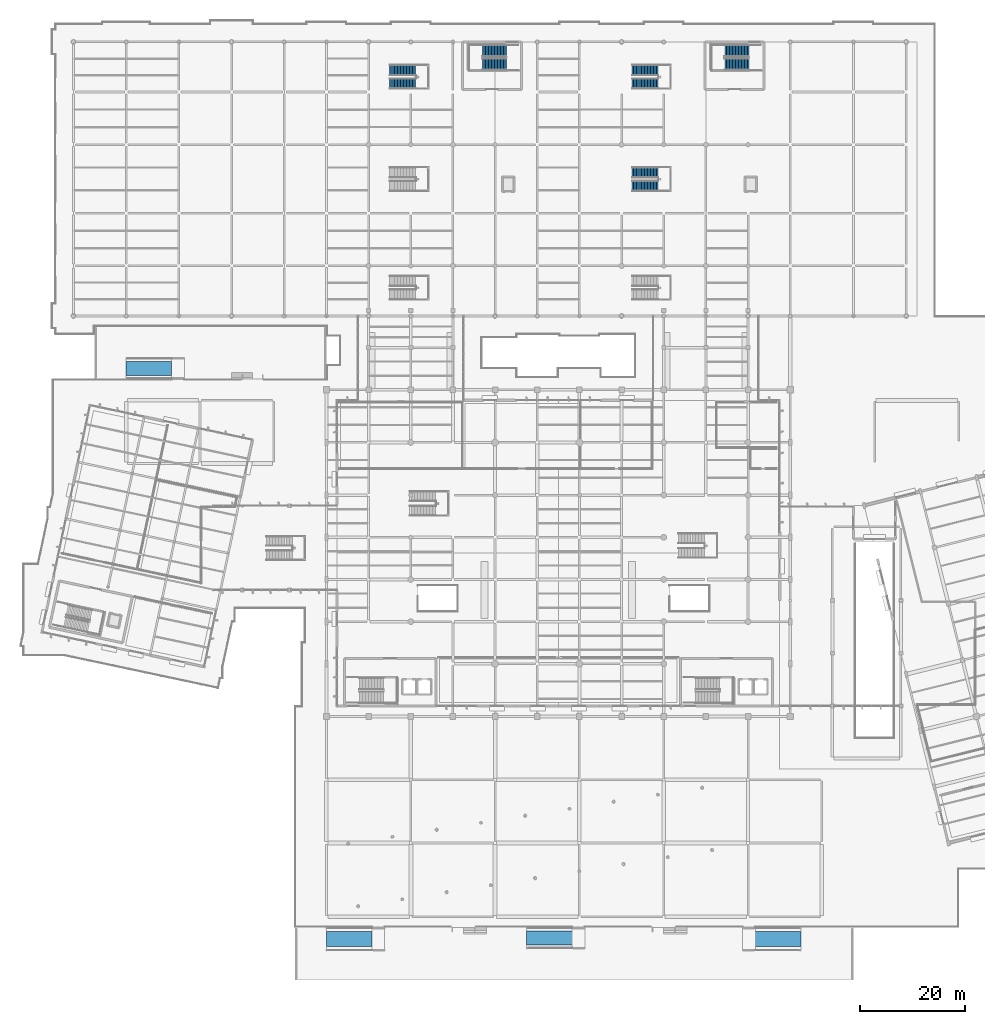
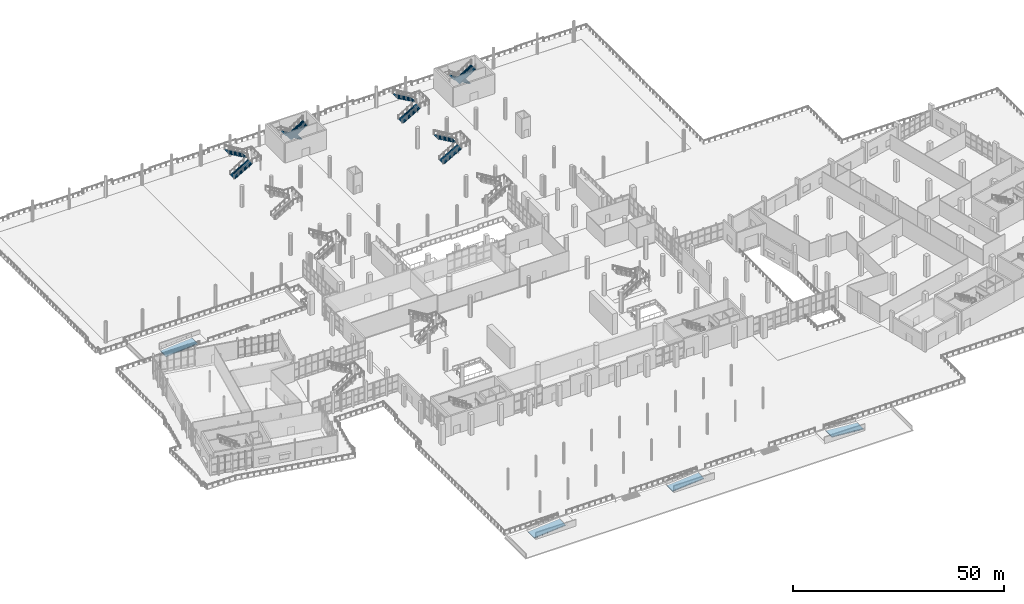
# One storey, part 133 of 163: 10 stair flights, 4 ramp flights, 9 elements without a shape of their own.
"""IFC4 building model written with IfcOpenShell, lengths in metres."""

from ifc_helpers import new_model, si_unit, direction, frame, origin, place, context, subcontext, project, spatial, polyline, outline, extrude, material, layer, layer_set, type_object, element, aggregate, save


model = new_model("IFC4")

# Units and contexts
model_context = context("Model", 3, precision=1e-05, world=origin(), true_north=direction((0.0, 1.0)))
body_context = subcontext(model_context, "Body", "Model", "MODEL_VIEW")
ifc_project = project(units=[si_unit("LENGTHUNIT", "METRE"), si_unit("AREAUNIT", "SQUARE_METRE"), si_unit("VOLUMEUNIT", "CUBIC_METRE"), si_unit("PLANEANGLEUNIT", "RADIAN"), si_unit("MASSUNIT", "GRAM", prefix="KILO")], contexts=[model_context])

# Site, building, storey
site_placement = place(None, origin())
site = spatial("IfcSite", under=ifc_project, at=site_placement, CompositionType="ELEMENT")
building_placement = place(site_placement, origin())
building = spatial("IfcBuilding", under=site, at=building_placement, Name="Khorjan Park Terminus", CompositionType="ELEMENT")
storey_placement = place(building_placement, origin())
storey = spatial("IfcBuildingStorey", under=building, at=storey_placement, Name="L00", CompositionType="ELEMENT", Elevation=0.0)

# Stair, stair flights
ifc_material = material(Name="Concrete C40/50", Category="concrete")
stair_type_1 = type_object("IfcStairType", Name="STR-CORE-220", PredefinedType="HALF_TURN_STAIR", material=ifc_material)
stair_1_placement = place(storey_placement, origin())
stair_1 = element("IfcStair", 1, at=stair_1_placement, inside=storey, type_object=stair_type_1, Name="L00 West Transfer Bridge Exit Core exit stair ST-06", PredefinedType="HALF_TURN_STAIR")
stair_flight_type_1 = type_object("IfcStairFlightType", Name="FLT-STC-22", PredefinedType="STRAIGHT", material=ifc_material)
stair_flight_1_placement = place(storey_placement, frame((82.14, 152.35, 0.0), z_axis=(0.0, 0.0, 1.0), x_axis=(-1.0, 0.0, 0.0)))
stair_flight_1 = element("IfcStairFlight", 2, at=stair_flight_1_placement, type_object=stair_flight_type_1, Name="ST-06 flight 1", NumberOfRisers=17, NumberOfTreads=16, PredefinedType="STRAIGHT", RiserHeight=0.176470588, TreadLength=0.285, context=body_context, shape_type="SweptSolid", body=[
    extrude(outline(polyline([(0.0, 0.0), (0.0, 0.1765), (0.285, 0.1765), (0.285, 0.3529), (0.57, 0.3529), (0.57, 0.5294), (0.855, 0.5294), (0.855, 0.7059), (1.14, 0.7059), (1.14, 0.8824), (1.425, 0.8824), (1.425, 1.0588), (1.71, 1.0588), (1.71, 1.2353), (1.995, 1.2353), (1.995, 1.4118), (2.28, 1.4118), (2.28, 1.5882), (2.565, 1.5882), (2.565, 1.7647), (2.85, 1.7647), (2.85, 1.9412), (3.135, 1.9412), (3.135, 2.1176), (3.42, 2.1176), (3.42, 2.2941), (3.705, 2.2941), (3.705, 2.4706), (3.99, 2.4706), (3.99, 2.6471), (4.275, 2.6471), (4.275, 2.8235), (4.56, 2.8235), (4.56, 3.0), (4.56, 2.6353), (0.3039, 0.0), (0.0, 0.0)])), frame((0.0, 1.1, 0.0), z_axis=(0.0, -1.0, 0.0), x_axis=(1.0, 0.0, 0.0)), (0.0, 0.0, 1.0), 2.2),
])
stair_flight_2_placement = place(storey_placement, frame((77.58, 149.79, 3.0), z_axis=(0.0, 0.0, 1.0), x_axis=(1.0, 0.0, 0.0)))
stair_flight_2 = element("IfcStairFlight", 3, at=stair_flight_2_placement, type_object=stair_flight_type_1, Name="ST-06 flight 2", NumberOfRisers=17, NumberOfTreads=16, PredefinedType="STRAIGHT", RiserHeight=0.176470588, TreadLength=0.285, context=body_context, shape_type="SweptSolid", body=[
    extrude(outline(polyline([(0.0, 0.0), (0.0, 0.1765), (0.285, 0.1765), (0.285, 0.3529), (0.57, 0.3529), (0.57, 0.5294), (0.855, 0.5294), (0.855, 0.7059), (1.14, 0.7059), (1.14, 0.8824), (1.425, 0.8824), (1.425, 1.0588), (1.71, 1.0588), (1.71, 1.2353), (1.995, 1.2353), (1.995, 1.4118), (2.28, 1.4118), (2.28, 1.5882), (2.565, 1.5882), (2.565, 1.7647), (2.85, 1.7647), (2.85, 1.9412), (3.135, 1.9412), (3.135, 2.1176), (3.42, 2.1176), (3.42, 2.2941), (3.705, 2.2941), (3.705, 2.4706), (3.99, 2.4706), (3.99, 2.6471), (4.275, 2.6471), (4.275, 2.8235), (4.56, 2.8235), (4.56, 3.0), (4.56, 2.6353), (0.3039, 0.0), (0.0, 0.0)])), frame((0.0, 1.1, 0.0), z_axis=(0.0, -1.0, 0.0), x_axis=(1.0, 0.0, 0.0)), (0.0, 0.0, 1.0), 2.2),
])
aggregate(stair_1, [stair_flight_1, stair_flight_2])

stair_2_placement = place(storey_placement, origin())
stair_2 = element("IfcStair", 4, at=stair_2_placement, inside=storey, type_object=stair_type_1, Name="L00 East Transfer Bridge Exit Core exit stair ST-07", PredefinedType="HALF_TURN_STAIR")
stair_flight_3_placement = place(storey_placement, frame((128.14, 152.35, 0.0), z_axis=(0.0, 0.0, 1.0), x_axis=(-1.0, 0.0, 0.0)))
stair_flight_3 = element("IfcStairFlight", 5, at=stair_flight_3_placement, type_object=stair_flight_type_1, Name="ST-07 flight 1", NumberOfRisers=17, NumberOfTreads=16, PredefinedType="STRAIGHT", RiserHeight=0.176470588, TreadLength=0.285, context=body_context, shape_type="SweptSolid", body=[
    extrude(outline(polyline([(0.0, 0.0), (0.0, 0.1765), (0.285, 0.1765), (0.285, 0.3529), (0.57, 0.3529), (0.57, 0.5294), (0.855, 0.5294), (0.855, 0.7059), (1.14, 0.7059), (1.14, 0.8824), (1.425, 0.8824), (1.425, 1.0588), (1.71, 1.0588), (1.71, 1.2353), (1.995, 1.2353), (1.995, 1.4118), (2.28, 1.4118), (2.28, 1.5882), (2.565, 1.5882), (2.565, 1.7647), (2.85, 1.7647), (2.85, 1.9412), (3.135, 1.9412), (3.135, 2.1176), (3.42, 2.1176), (3.42, 2.2941), (3.705, 2.2941), (3.705, 2.4706), (3.99, 2.4706), (3.99, 2.6471), (4.275, 2.6471), (4.275, 2.8235), (4.56, 2.8235), (4.56, 3.0), (4.56, 2.6353), (0.3039, 0.0), (0.0, 0.0)])), frame((0.0, 1.1, 0.0), z_axis=(0.0, -1.0, 0.0), x_axis=(1.0, 0.0, 0.0)), (0.0, 0.0, 1.0), 2.2),
])
stair_flight_4_placement = place(storey_placement, frame((123.58, 149.79, 3.0), z_axis=(0.0, 0.0, 1.0), x_axis=(1.0, 0.0, 0.0)))
stair_flight_4 = element("IfcStairFlight", 6, at=stair_flight_4_placement, type_object=stair_flight_type_1, Name="ST-07 flight 2", NumberOfRisers=17, NumberOfTreads=16, PredefinedType="STRAIGHT", RiserHeight=0.176470588, TreadLength=0.285, context=body_context, shape_type="SweptSolid", body=[
    extrude(outline(polyline([(0.0, 0.0), (0.0, 0.1765), (0.285, 0.1765), (0.285, 0.3529), (0.57, 0.3529), (0.57, 0.5294), (0.855, 0.5294), (0.855, 0.7059), (1.14, 0.7059), (1.14, 0.8824), (1.425, 0.8824), (1.425, 1.0588), (1.71, 1.0588), (1.71, 1.2353), (1.995, 1.2353), (1.995, 1.4118), (2.28, 1.4118), (2.28, 1.5882), (2.565, 1.5882), (2.565, 1.7647), (2.85, 1.7647), (2.85, 1.9412), (3.135, 1.9412), (3.135, 2.1176), (3.42, 2.1176), (3.42, 2.2941), (3.705, 2.2941), (3.705, 2.4706), (3.99, 2.4706), (3.99, 2.6471), (4.275, 2.6471), (4.275, 2.8235), (4.56, 2.8235), (4.56, 3.0), (4.56, 2.6353), (0.3039, 0.0), (0.0, 0.0)])), frame((0.0, 1.1, 0.0), z_axis=(0.0, -1.0, 0.0), x_axis=(1.0, 0.0, 0.0)), (0.0, 0.0, 1.0), 2.2),
])
aggregate(stair_2, [stair_flight_3, stair_flight_4])

stair_type_2 = type_object("IfcStairType", Name="STR-PUB-200", PredefinedType="HALF_TURN_STAIR", material=ifc_material)
stair_3_placement = place(storey_placement, origin())
stair_3 = element("IfcStair", 7, at=stair_3_placement, inside=storey, type_object=stair_type_2, Name="Public passenger half-turn stair PS-04", PredefinedType="HALF_TURN_STAIR")
stair_flight_type_2 = type_object("IfcStairFlightType", Name="FLT-STP-20", PredefinedType="STRAIGHT", material=ifc_material)
stair_flight_5_placement = place(storey_placement, frame((106.0, 126.66, 0.0), z_axis=(0.0, 0.0, 1.0), x_axis=(1.0, 0.0, 0.0)))
stair_flight_5 = element("IfcStairFlight", 8, at=stair_flight_5_placement, type_object=stair_flight_type_2, Name="Stair PS-04 lower flight", NumberOfRisers=18, NumberOfTreads=17, PredefinedType="STRAIGHT", RiserHeight=0.166667, TreadLength=0.29, context=body_context, shape_type="SweptSolid", body=[
    extrude(outline(polyline([(0.0, 0.0), (0.0, 0.1667), (0.29, 0.1667), (0.29, 0.3333), (0.58, 0.3333), (0.58, 0.5), (0.87, 0.5), (0.87, 0.6667), (1.16, 0.6667), (1.16, 0.8333), (1.45, 0.8333), (1.45, 1.0), (1.74, 1.0), (1.74, 1.1667), (2.03, 1.1667), (2.03, 1.3333), (2.32, 1.3333), (2.32, 1.5), (2.61, 1.5), (2.61, 1.6667), (2.9, 1.6667), (2.9, 1.8333), (3.19, 1.8333), (3.19, 2.0), (3.48, 2.0), (3.48, 2.1667), (3.77, 2.1667), (3.77, 2.3333), (4.06, 2.3333), (4.06, 2.5), (4.35, 2.5), (4.35, 2.6667), (4.64, 2.6667), (4.64, 2.8333), (4.93, 2.8333), (4.93, 3.0), (4.93, 2.6488), (0.3211, 0.0), (0.0, 0.0)])), frame((0.0, 1.0, 0.0), z_axis=(0.0, -1.0, 0.0), x_axis=(1.0, 0.0, 0.0)), (0.0, 0.0, 1.0), 2.0),
])
stair_flight_6_placement = place(storey_placement, frame((110.93, 129.24, 3.0), z_axis=(0.0, 0.0, 1.0), x_axis=(-1.0, 0.0, 0.0)))
stair_flight_6 = element("IfcStairFlight", 9, at=stair_flight_6_placement, type_object=stair_flight_type_2, Name="Stair PS-04 upper flight", NumberOfRisers=18, NumberOfTreads=17, PredefinedType="STRAIGHT", RiserHeight=0.166667, TreadLength=0.29, context=body_context, shape_type="SweptSolid", body=[
    extrude(outline(polyline([(0.0, 0.0), (0.0, 0.1667), (0.29, 0.1667), (0.29, 0.3333), (0.58, 0.3333), (0.58, 0.5), (0.87, 0.5), (0.87, 0.6667), (1.16, 0.6667), (1.16, 0.8333), (1.45, 0.8333), (1.45, 1.0), (1.74, 1.0), (1.74, 1.1667), (2.03, 1.1667), (2.03, 1.3333), (2.32, 1.3333), (2.32, 1.5), (2.61, 1.5), (2.61, 1.6667), (2.9, 1.6667), (2.9, 1.8333), (3.19, 1.8333), (3.19, 2.0), (3.48, 2.0), (3.48, 2.1667), (3.77, 2.1667), (3.77, 2.3333), (4.06, 2.3333), (4.06, 2.5), (4.35, 2.5), (4.35, 2.6667), (4.64, 2.6667), (4.64, 2.8333), (4.93, 2.8333), (4.93, 3.0), (4.93, 2.6488), (0.3211, 0.0), (0.0, 0.0)])), frame((0.0, 1.0, 0.0), z_axis=(0.0, -1.0, 0.0), x_axis=(1.0, 0.0, 0.0)), (0.0, 0.0, 1.0), 2.0),
])
aggregate(stair_3, [stair_flight_5, stair_flight_6])

stair_4_placement = place(storey_placement, origin())
stair_4 = element("IfcStair", 10, at=stair_4_placement, inside=storey, type_object=stair_type_2, Name="Public passenger half-turn stair PS-05", PredefinedType="HALF_TURN_STAIR")
stair_flight_7_placement = place(storey_placement, frame((60.0, 146.06, 0.0), z_axis=(0.0, 0.0, 1.0), x_axis=(1.0, 0.0, 0.0)))
stair_flight_7 = element("IfcStairFlight", 11, at=stair_flight_7_placement, type_object=stair_flight_type_2, Name="Stair PS-05 lower flight", NumberOfRisers=18, NumberOfTreads=17, PredefinedType="STRAIGHT", RiserHeight=0.166667, TreadLength=0.29, context=body_context, shape_type="SweptSolid", body=[
    extrude(outline(polyline([(0.0, 0.0), (0.0, 0.1667), (0.29, 0.1667), (0.29, 0.3333), (0.58, 0.3333), (0.58, 0.5), (0.87, 0.5), (0.87, 0.6667), (1.16, 0.6667), (1.16, 0.8333), (1.45, 0.8333), (1.45, 1.0), (1.74, 1.0), (1.74, 1.1667), (2.03, 1.1667), (2.03, 1.3333), (2.32, 1.3333), (2.32, 1.5), (2.61, 1.5), (2.61, 1.6667), (2.9, 1.6667), (2.9, 1.8333), (3.19, 1.8333), (3.19, 2.0), (3.48, 2.0), (3.48, 2.1667), (3.77, 2.1667), (3.77, 2.3333), (4.06, 2.3333), (4.06, 2.5), (4.35, 2.5), (4.35, 2.6667), (4.64, 2.6667), (4.64, 2.8333), (4.93, 2.8333), (4.93, 3.0), (4.93, 2.6488), (0.3211, 0.0), (0.0, 0.0)])), frame((0.0, 1.0, 0.0), z_axis=(0.0, -1.0, 0.0), x_axis=(1.0, 0.0, 0.0)), (0.0, 0.0, 1.0), 2.0),
])
stair_flight_8_placement = place(storey_placement, frame((64.93, 148.64, 3.0), z_axis=(0.0, 0.0, 1.0), x_axis=(-1.0, 0.0, 0.0)))
stair_flight_8 = element("IfcStairFlight", 12, at=stair_flight_8_placement, type_object=stair_flight_type_2, Name="Stair PS-05 upper flight", NumberOfRisers=18, NumberOfTreads=17, PredefinedType="STRAIGHT", RiserHeight=0.166667, TreadLength=0.29, context=body_context, shape_type="SweptSolid", body=[
    extrude(outline(polyline([(0.0, 0.0), (0.0, 0.1667), (0.29, 0.1667), (0.29, 0.3333), (0.58, 0.3333), (0.58, 0.5), (0.87, 0.5), (0.87, 0.6667), (1.16, 0.6667), (1.16, 0.8333), (1.45, 0.8333), (1.45, 1.0), (1.74, 1.0), (1.74, 1.1667), (2.03, 1.1667), (2.03, 1.3333), (2.32, 1.3333), (2.32, 1.5), (2.61, 1.5), (2.61, 1.6667), (2.9, 1.6667), (2.9, 1.8333), (3.19, 1.8333), (3.19, 2.0), (3.48, 2.0), (3.48, 2.1667), (3.77, 2.1667), (3.77, 2.3333), (4.06, 2.3333), (4.06, 2.5), (4.35, 2.5), (4.35, 2.6667), (4.64, 2.6667), (4.64, 2.8333), (4.93, 2.8333), (4.93, 3.0), (4.93, 2.6488), (0.3211, 0.0), (0.0, 0.0)])), frame((0.0, 1.0, 0.0), z_axis=(0.0, -1.0, 0.0), x_axis=(1.0, 0.0, 0.0)), (0.0, 0.0, 1.0), 2.0),
])
aggregate(stair_4, [stair_flight_7, stair_flight_8])

stair_5_placement = place(storey_placement, origin())
stair_5 = element("IfcStair", 13, at=stair_5_placement, inside=storey, type_object=stair_type_2, Name="Public passenger half-turn stair PS-06", PredefinedType="HALF_TURN_STAIR")
stair_flight_9_placement = place(storey_placement, frame((106.0, 146.06, 0.0), z_axis=(0.0, 0.0, 1.0), x_axis=(1.0, 0.0, 0.0)))
stair_flight_9 = element("IfcStairFlight", 14, at=stair_flight_9_placement, type_object=stair_flight_type_2, Name="Stair PS-06 lower flight", NumberOfRisers=18, NumberOfTreads=17, PredefinedType="STRAIGHT", RiserHeight=0.166667, TreadLength=0.29, context=body_context, shape_type="SweptSolid", body=[
    extrude(outline(polyline([(0.0, 0.0), (0.0, 0.1667), (0.29, 0.1667), (0.29, 0.3333), (0.58, 0.3333), (0.58, 0.5), (0.87, 0.5), (0.87, 0.6667), (1.16, 0.6667), (1.16, 0.8333), (1.45, 0.8333), (1.45, 1.0), (1.74, 1.0), (1.74, 1.1667), (2.03, 1.1667), (2.03, 1.3333), (2.32, 1.3333), (2.32, 1.5), (2.61, 1.5), (2.61, 1.6667), (2.9, 1.6667), (2.9, 1.8333), (3.19, 1.8333), (3.19, 2.0), (3.48, 2.0), (3.48, 2.1667), (3.77, 2.1667), (3.77, 2.3333), (4.06, 2.3333), (4.06, 2.5), (4.35, 2.5), (4.35, 2.6667), (4.64, 2.6667), (4.64, 2.8333), (4.93, 2.8333), (4.93, 3.0), (4.93, 2.6488), (0.3211, 0.0), (0.0, 0.0)])), frame((0.0, 1.0, 0.0), z_axis=(0.0, -1.0, 0.0), x_axis=(1.0, 0.0, 0.0)), (0.0, 0.0, 1.0), 2.0),
])
stair_flight_10_placement = place(storey_placement, frame((110.93, 148.64, 3.0), z_axis=(0.0, 0.0, 1.0), x_axis=(-1.0, 0.0, 0.0)))
stair_flight_10 = element("IfcStairFlight", 15, at=stair_flight_10_placement, type_object=stair_flight_type_2, Name="Stair PS-06 upper flight", NumberOfRisers=18, NumberOfTreads=17, PredefinedType="STRAIGHT", RiserHeight=0.166667, TreadLength=0.29, context=body_context, shape_type="SweptSolid", body=[
    extrude(outline(polyline([(0.0, 0.0), (0.0, 0.1667), (0.29, 0.1667), (0.29, 0.3333), (0.58, 0.3333), (0.58, 0.5), (0.87, 0.5), (0.87, 0.6667), (1.16, 0.6667), (1.16, 0.8333), (1.45, 0.8333), (1.45, 1.0), (1.74, 1.0), (1.74, 1.1667), (2.03, 1.1667), (2.03, 1.3333), (2.32, 1.3333), (2.32, 1.5), (2.61, 1.5), (2.61, 1.6667), (2.9, 1.6667), (2.9, 1.8333), (3.19, 1.8333), (3.19, 2.0), (3.48, 2.0), (3.48, 2.1667), (3.77, 2.1667), (3.77, 2.3333), (4.06, 2.3333), (4.06, 2.5), (4.35, 2.5), (4.35, 2.6667), (4.64, 2.6667), (4.64, 2.8333), (4.93, 2.8333), (4.93, 3.0), (4.93, 2.6488), (0.3211, 0.0), (0.0, 0.0)])), frame((0.0, 1.0, 0.0), z_axis=(0.0, -1.0, 0.0), x_axis=(1.0, 0.0, 0.0)), (0.0, 0.0, 1.0), 2.0),
])
aggregate(stair_5, [stair_flight_9, stair_flight_10])

# Ramp, ramp flight
ramp_type_1 = type_object("IfcRampType", Name="RMP-ACC-360", PredefinedType="STRAIGHT_RUN_RAMP", material=ifc_material)
ramp_1_placement = place(storey_placement, origin())
ramp_1 = element("IfcRamp", 16, at=ramp_1_placement, inside=storey, type_object=ramp_type_1, Name="Accessible 1:12 site-grade approach ramp AR-02", PredefinedType="STRAIGHT_RUN_RAMP")
ifc_layer_1 = layer(ifc_material, 0.24)
ifc_layer_set_1 = layer_set([ifc_layer_1], Name="Concrete C40/50")
ramp_flight_type_1 = type_object("IfcRampFlightType", Name="RFL-ACC-360", PredefinedType="STRAIGHT", material=ifc_layer_set_1)
ramp_flight_1_placement = place(storey_placement, frame((86.0, -16.04, -0.72), z_axis=(0.0, 0.0, 1.0), x_axis=(1.0, 0.0, 0.0)))
ramp_flight_1 = element("IfcRampFlight", 17, at=ramp_flight_1_placement, type_object=ramp_flight_type_1, Name="Accessible 1:12 ramp flight (GRMP-S-M)", PredefinedType="STRAIGHT", context=body_context, shape_type="SweptSolid", body=[
    extrude(outline(polyline([(0.0, 0.0), (8.64, 0.72), (8.64, 0.48), (0.0, -0.24), (0.0, 0.0)])), frame((0.0, 1.32, 0.0), z_axis=(0.0, -1.0, 0.0), x_axis=(1.0, 0.0, 0.0)), (0.0, 0.0, 1.0), 2.64),
])
aggregate(ramp_1, [ramp_flight_1])

ramp_2_placement = place(storey_placement, origin())
ramp_2 = element("IfcRamp", 18, at=ramp_2_placement, inside=storey, type_object=ramp_type_1, Name="Accessible 1:12 site-grade approach ramp AR-04", PredefinedType="STRAIGHT_RUN_RAMP")
ramp_flight_2_placement = place(storey_placement, frame((10.0, 92.04, -0.72), z_axis=(0.0, 0.0, 1.0), x_axis=(1.0, 0.0, 0.0)))
ramp_flight_2 = element("IfcRampFlight", 19, at=ramp_flight_2_placement, type_object=ramp_flight_type_1, Name="Accessible 1:12 ramp flight (GRMP-N-PK)", PredefinedType="STRAIGHT", context=body_context, shape_type="SweptSolid", body=[
    extrude(outline(polyline([(0.0, 0.0), (8.64, 0.72), (8.64, 0.48), (0.0, -0.24), (0.0, 0.0)])), frame((0.0, 1.32, 0.0), z_axis=(0.0, -1.0, 0.0), x_axis=(1.0, 0.0, 0.0)), (0.0, 0.0, 1.0), 2.64),
])
aggregate(ramp_2, [ramp_flight_2])

ramp_type_2 = type_object("IfcRampType", Name="RMP-ACC-400", PredefinedType="STRAIGHT_RUN_RAMP", material=ifc_material)
ramp_3_placement = place(storey_placement, origin())
ramp_3 = element("IfcRamp", 20, at=ramp_3_placement, inside=storey, type_object=ramp_type_2, Name="Accessible 1:12 site-grade approach ramp AR-01", PredefinedType="STRAIGHT_RUN_RAMP")
ifc_layer_2 = layer(ifc_material, 0.24)
ifc_layer_set_2 = layer_set([ifc_layer_2], Name="Concrete C40/50")
ramp_flight_type_2 = type_object("IfcRampFlightType", Name="RFL-ACC-400", PredefinedType="STRAIGHT", material=ifc_layer_set_2)
ramp_flight_3_placement = place(storey_placement, frame((48.0, -16.24, -0.72), z_axis=(0.0, 0.0, 1.0), x_axis=(1.0, 0.0, 0.0)))
ramp_flight_3 = element("IfcRampFlight", 21, at=ramp_flight_3_placement, type_object=ramp_flight_type_2, Name="Accessible 1:12 ramp flight (GRMP-S-W)", PredefinedType="STRAIGHT", context=body_context, shape_type="SweptSolid", body=[
    extrude(outline(polyline([(0.0, 0.0), (8.64, 0.72), (8.64, 0.48), (0.0, -0.24), (0.0, 0.0)])), frame((0.0, 1.44, 0.0), z_axis=(0.0, -1.0, 0.0), x_axis=(1.0, 0.0, 0.0)), (0.0, 0.0, 1.0), 2.88),
])
aggregate(ramp_3, [ramp_flight_3])

ramp_4_placement = place(storey_placement, origin())
ramp_4 = element("IfcRamp", 22, at=ramp_4_placement, inside=storey, type_object=ramp_type_2, Name="Accessible 1:12 site-grade approach ramp AR-03", PredefinedType="STRAIGHT_RUN_RAMP")
ramp_flight_4_placement = place(storey_placement, frame((138.0, -16.24, -0.72), z_axis=(0.0, 0.0, 1.0), x_axis=(-1.0, 0.0, 0.0)))
ramp_flight_4 = element("IfcRampFlight", 23, at=ramp_flight_4_placement, type_object=ramp_flight_type_2, Name="Accessible 1:12 ramp flight (GRMP-S-E)", PredefinedType="STRAIGHT", context=body_context, shape_type="SweptSolid", body=[
    extrude(outline(polyline([(0.0, 0.0), (8.64, 0.72), (8.64, 0.48), (0.0, -0.24), (0.0, 0.0)])), frame((0.0, 1.44, 0.0), z_axis=(0.0, -1.0, 0.0), x_axis=(1.0, 0.0, 0.0)), (0.0, 0.0, 1.0), 2.88),
])
aggregate(ramp_4, [ramp_flight_4])

save(model, "model.ifc")
